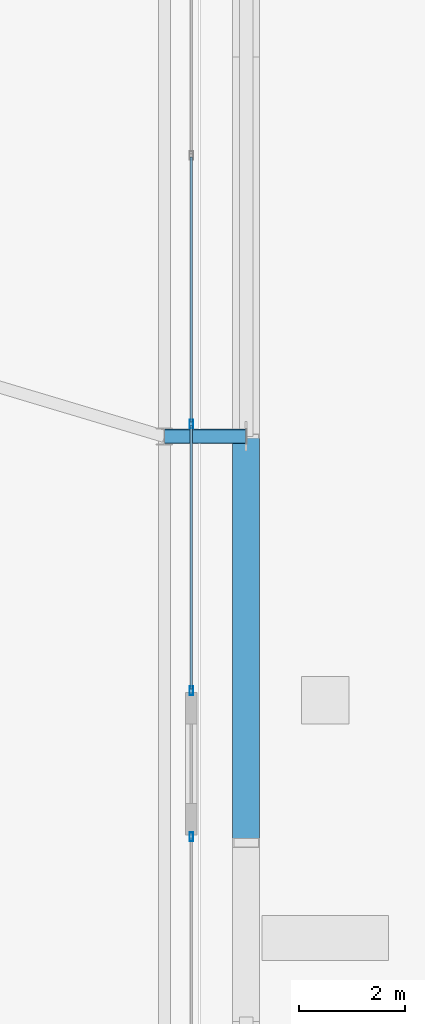
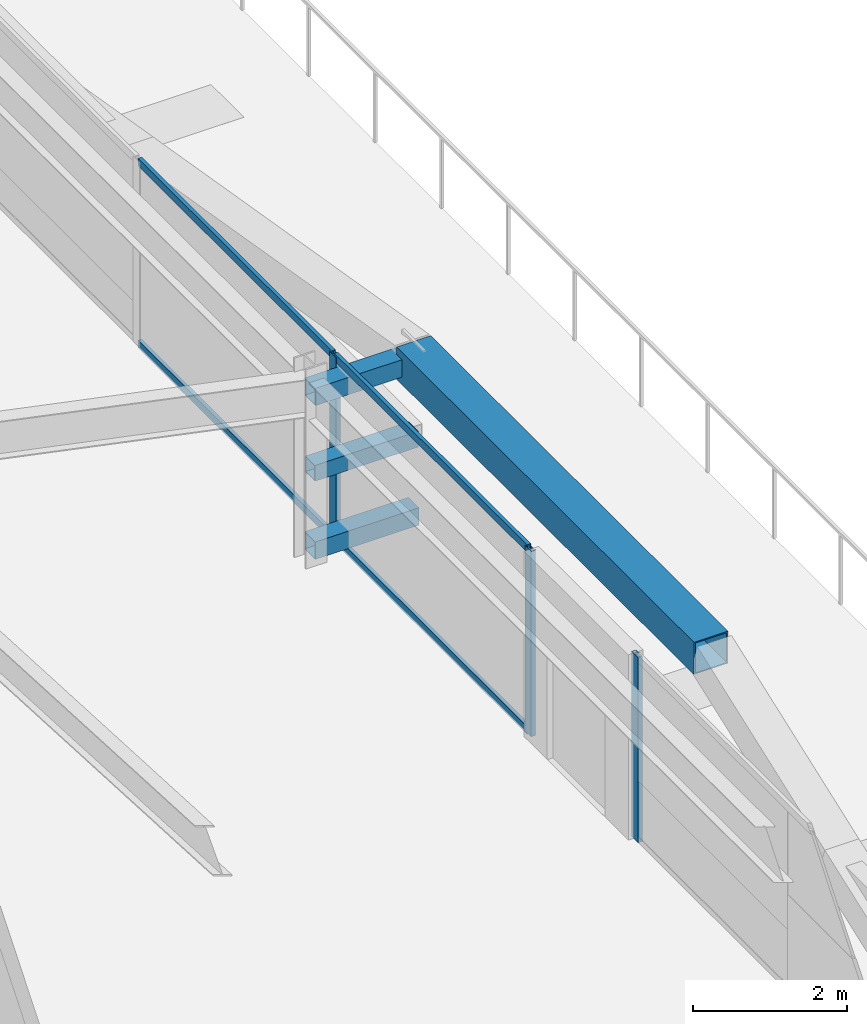
# One storey, part 35 of 56: 11 members, 2 elements without a shape of their own.
"""IFC4 building model written with IfcOpenShell, lengths in metres."""

from ifc_helpers import new_model, si_unit, direction, frame, origin, origin_2d, place, context, subcontext, project, spatial, hollow_rectangle, extrude, source, transform, mapped, material, layer, layer_set, material_profile, profile_set, type_object, element, aggregate, save


model = new_model("IFC4")

# Units and contexts
model_context = context("Model", 3, precision=1e-05, world=origin(), true_north=direction((0.0, 1.0)))
body_context = subcontext(model_context, "Body", "Model", "MODEL_VIEW")
ifc_project = project(units=[si_unit("LENGTHUNIT", "METRE"), si_unit("AREAUNIT", "SQUARE_METRE"), si_unit("VOLUMEUNIT", "CUBIC_METRE"), si_unit("PLANEANGLEUNIT", "RADIAN"), si_unit("MASSUNIT", "GRAM", prefix="KILO")], contexts=[model_context])

# Site, building, storey
site_placement = place(None, origin())
site = spatial("IfcSite", under=ifc_project, at=site_placement, CompositionType="ELEMENT")
building_placement = place(site_placement, origin())
building = spatial("IfcBuilding", under=site, at=building_placement, Name="Taldren Reach Tower", CompositionType="ELEMENT")
storey_placement = place(building_placement, frame((0.0, 0.0, 16.800048828125)))
storey = spatial("IfcBuildingStorey", under=building, at=storey_placement, Name="L04", CompositionType="ELEMENT", Elevation=16.800048828125)

# Members
ifc_material_1 = material(Name="Steel Gr 450 (C450L0)", Category="steel")
ifc_material_profile_1 = material_profile(ifc_material_1, hollow_rectangle(XDim=0.27490234375, YDim=0.27490234375, WallThickness=0.00927734375, at=origin_2d()), Name="275x275x9.3SHS")
ifc_profile_set_1 = profile_set([ifc_material_profile_1], Name="Steel Gr 450 (C450L0)")
member_type_1 = type_object("IfcMemberType", Name="MB-TIE273", PredefinedType="STRUT", material=ifc_profile_set_1)
shared_shape_1 = source(origin(), body_context, "Body", "SweptSolid", [
    extrude(hollow_rectangle(XDim=0.27490234375, YDim=0.27490234375, WallThickness=0.00927734375, at=origin_2d()), origin(), (0.0, 0.0, 1.0), 1.5498046875),
])
for number, where, z_axis, x_axis, name in (
    (1, (64.35009765625, 20.0, 2.64990234375), (1.0, 0.0, 0.0), (0.0, 1.0, 0.0), "Exoskeleton diaphragm tie strut B1-E2 L04"),
    (2, (64.35009765625, 20.0, 0.219970703125), (1.0, 0.0, 0.0), (0.0, 1.0, 0.0), "Exoskeleton base diaphragm tie strut B1-E2 L04"),
):
    element("IfcMember", number, at=place(storey_placement, frame(where, z_axis=z_axis, x_axis=x_axis)), inside=storey, type_object=member_type_1, Name=name, PredefinedType="STRUT", context=body_context, shape_type="MappedRepresentation", body=[
        mapped(shared_shape_1, transform((0.0, 0.0, 0.0), scale=1.0)),
    ])
ifc_material_2 = material(Name="Steel Gr 350 (C350L0)", Category="steel")
ifc_material_profile_2 = material_profile(ifc_material_2, hollow_rectangle(XDim=0.25, YDim=0.25, WallThickness=0.010009765625, at=origin_2d()), Name="250x250x10.0SHS")
ifc_profile_set_2 = profile_set([ifc_material_profile_2], Name="Steel Gr 350 (C350L0)")
member_type_2 = type_object("IfcMemberType", Name="MB-POST250", PredefinedType="POST", material=ifc_profile_set_2)
shared_shape_2 = source(origin(), body_context, "Body", "SweptSolid", [
    extrude(hollow_rectangle(XDim=0.25, YDim=0.25, WallThickness=0.010009765625, at=origin_2d()), origin(), (0.0, 0.0, 1.0), 1.5498046875),
])
member_1_placement = place(storey_placement, frame((64.35009765625, 20.0, 1.43505859375), z_axis=(1.0, 0.0, 0.0), x_axis=(0.0, 1.0, 0.0)))
element("IfcMember", 3, at=member_1_placement, inside=storey, type_object=member_type_2, Name="Exoskeleton mid-tier diaphragm tie B1-E2 L04", PredefinedType="POST", context=body_context, shape_type="MappedRepresentation", body=[
    mapped(shared_shape_2, transform((0.0, 0.0, 0.0), scale=1.0)),
])

# Curtain wall, member
ifc_material_3 = material(Name="Aluminium and Low-E Glass Unitised System", Category="aluminium")
ifc_layer = layer(ifc_material_3, 0.159912109375)
ifc_layer_set = layer_set([ifc_layer], Name="Aluminium and Low-E Glass Unitised System")
curtain_wall_type = type_object("IfcCurtainWallType", Name="CW-SYS-2", PredefinedType="NOTDEFINED", material=ifc_layer_set)
curtain_wall_1_placement = place(storey_placement, origin())
curtain_wall_1 = element("IfcCurtainWall", 4, at=curtain_wall_1_placement, inside=storey, type_object=curtain_wall_type, Name="Unitised curtain wall CW-L04-E1", PredefinedType="NOTDEFINED")
ifc_material_4 = material(Name="Anodised Aluminium 6063-T6", Category="aluminium")
ifc_material_profile_3 = material_profile(ifc_material_4, hollow_rectangle(XDim=0.06494140625, YDim=0.1650390625, WallThickness=0.00390625, at=origin_2d()), Name="ALU-165x65x4RHS")
ifc_profile_set_3 = profile_set([ifc_material_profile_3], Name="Anodised Aluminium 6063-T6")
member_type_3 = type_object("IfcMemberType", Name="CW-MUL-165", PredefinedType="MULLION", material=ifc_profile_set_3)
shared_shape_3 = source(origin(), body_context, "Body", "SweptSolid", [
    extrude(hollow_rectangle(XDim=0.06494140625, YDim=0.1650390625, WallThickness=0.00390625, at=origin_2d()), origin(), (0.0, 0.0, 1.0), 2.929931640625),
])
member_2_placement = place(storey_placement, frame((64.860107421875, 12.41748046875, 0.0), z_axis=(0.0, 0.0, 1.0), x_axis=(-1.0, 0.0, 0.0)))
member_2 = element("IfcMember", 5, at=member_2_placement, type_object=member_type_3, Name="CW-2 mullion 2", PredefinedType="MULLION", context=body_context, shape_type="MappedRepresentation", body=[
    mapped(shared_shape_3, transform((0.0, 0.0, 0.0), scale=1.0)),
])
aggregate(curtain_wall_1, [member_2])

# Curtain wall, members
curtain_wall_2_placement = place(storey_placement, origin())
curtain_wall_2 = element("IfcCurtainWall", 6, at=curtain_wall_2_placement, inside=storey, type_object=curtain_wall_type, Name="Unitised curtain wall CW-L04-E2", PredefinedType="NOTDEFINED")
member_3_placement = place(storey_placement, frame((64.860107421875, 15.1826171875, 0.0), z_axis=(0.0, 0.0, 1.0), x_axis=(-1.0, 0.0, 0.0)))
member_3 = element("IfcMember", 7, at=member_3_placement, type_object=member_type_3, Name="CW-2 mullion 1", PredefinedType="MULLION", context=body_context, shape_type="MappedRepresentation", body=[
    mapped(shared_shape_3, transform((0.0, 0.0, 0.0), scale=1.0)),
])
member_4_placement = place(storey_placement, frame((64.860107421875, 20.237548828125, 0.0), z_axis=(0.0, 0.0, 1.0), x_axis=(-1.0, 0.0, 0.0)))
member_4 = element("IfcMember", 8, at=member_4_placement, type_object=member_type_3, Name="CW-2 mullion 2", PredefinedType="MULLION", context=body_context, shape_type="MappedRepresentation", body=[
    mapped(shared_shape_3, transform((0.0, 0.0, 0.0), scale=1.0)),
])
ifc_material_profile_4 = material_profile(ifc_material_4, hollow_rectangle(XDim=0.054931640625, YDim=0.1201171875, WallThickness=0.0029296875, at=origin_2d()), Name="ALU-120x55x3RHS")
ifc_profile_set_4 = profile_set([ifc_material_profile_4], Name="Anodised Aluminium 6063-T6")
member_type_4 = type_object("IfcMemberType", Name="CW-TRN-135", PredefinedType="USERDEFINED", material=ifc_profile_set_4)
shared_shape_4 = source(origin(), body_context, "Body", "SweptSolid", [
    extrude(hollow_rectangle(XDim=0.054931640625, YDim=0.1201171875, WallThickness=0.0029296875, at=origin_2d()), origin(), (0.0, 0.0, 1.0), 4.989990234375),
])
member_5_placement = place(storey_placement, frame((64.860107421875, 15.215087890625, 0.02734375), z_axis=(0.0, 1.0, 0.0), x_axis=(-1.0, 0.0, 0.0)))
member_5 = element("IfcMember", 9, at=member_5_placement, type_object=member_type_4, Name="CW-2 transom 1.1", ObjectType="TRANSOM", PredefinedType="USERDEFINED", context=body_context, shape_type="MappedRepresentation", body=[
    mapped(shared_shape_4, transform((0.0, 0.0, 0.0), scale=1.0)),
])
member_6_placement = place(storey_placement, frame((64.860107421875, 15.215087890625, 2.90234375), z_axis=(0.0, 1.0, 0.0), x_axis=(-1.0, 0.0, 0.0)))
member_6 = element("IfcMember", 10, at=member_6_placement, type_object=member_type_4, Name="CW-2 transom 1.2", ObjectType="TRANSOM", PredefinedType="USERDEFINED", context=body_context, shape_type="MappedRepresentation", body=[
    mapped(shared_shape_4, transform((0.0, 0.0, 0.0), scale=1.0)),
])
shared_shape_5 = source(origin(), body_context, "Body", "SweptSolid", [
    extrude(hollow_rectangle(XDim=0.054931640625, YDim=0.1201171875, WallThickness=0.0029296875, at=origin_2d()), origin(), (0.0, 0.0, 1.0), 5.0224609375),
])
member_7_placement = place(storey_placement, frame((64.860107421875, 20.27001953125, 0.02734375), z_axis=(0.0, 1.0, 0.0), x_axis=(-1.0, 0.0, 0.0)))
member_7 = element("IfcMember", 11, at=member_7_placement, type_object=member_type_4, Name="CW-2 transom 2.1", ObjectType="TRANSOM", PredefinedType="USERDEFINED", context=body_context, shape_type="MappedRepresentation", body=[
    mapped(shared_shape_5, transform((0.0, 0.0, 0.0), scale=1.0)),
])
member_8_placement = place(storey_placement, frame((64.860107421875, 20.27001953125, 2.90234375), z_axis=(0.0, 1.0, 0.0), x_axis=(-1.0, 0.0, 0.0)))
member_8 = element("IfcMember", 12, at=member_8_placement, type_object=member_type_4, Name="CW-2 transom 2.2", ObjectType="TRANSOM", PredefinedType="USERDEFINED", context=body_context, shape_type="MappedRepresentation", body=[
    mapped(shared_shape_5, transform((0.0, 0.0, 0.0), scale=1.0)),
])
aggregate(curtain_wall_2, [member_3, member_4, member_5, member_6, member_7, member_8])

# Member
ifc_material_profile_5 = material_profile(ifc_material_1, hollow_rectangle(XDim=0.510009765625, YDim=0.510009765625, WallThickness=0.02001953125, at=origin_2d()), Name="510x510x20.0SHS")
ifc_profile_set_5 = profile_set([ifc_material_profile_5], Name="Steel Gr 450 (C450L0)")
member_type_5 = type_object("IfcMemberType", Name="MB-EXO508", PredefinedType="BRACE", material=ifc_profile_set_5)
shared_shape_6 = source(origin(), body_context, "Body", "SweptSolid", [
    extrude(hollow_rectangle(XDim=0.510009765625, YDim=0.510009765625, WallThickness=0.02001953125, at=origin_2d()), origin(), (0.0, 0.0, 1.0), 7.699951171875),
])
member_9_placement = place(storey_placement, frame((65.89990234375, 12.300048828125, 2.64990234375), z_axis=(0.0, 1.0, 0.0), x_axis=(-1.0, 0.0, 0.0)))
element("IfcMember", 13, at=member_9_placement, inside=storey, type_object=member_type_5, Name="Exoskeleton Diagrid Head Strut B1-E1 L04", PredefinedType="BRACE", context=body_context, shape_type="MappedRepresentation", body=[
    mapped(shared_shape_6, transform((0.0, 0.0, 0.0), scale=1.0)),
])

save(model, "model.ifc")
